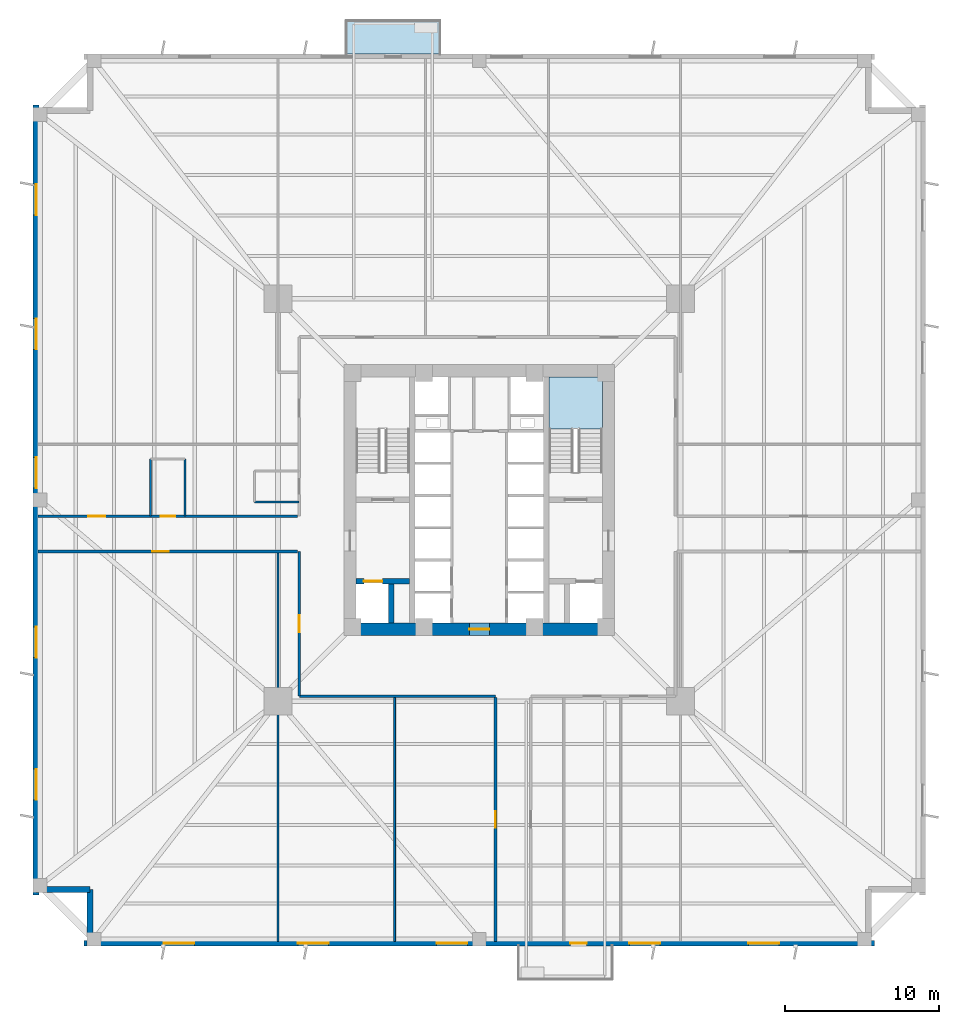
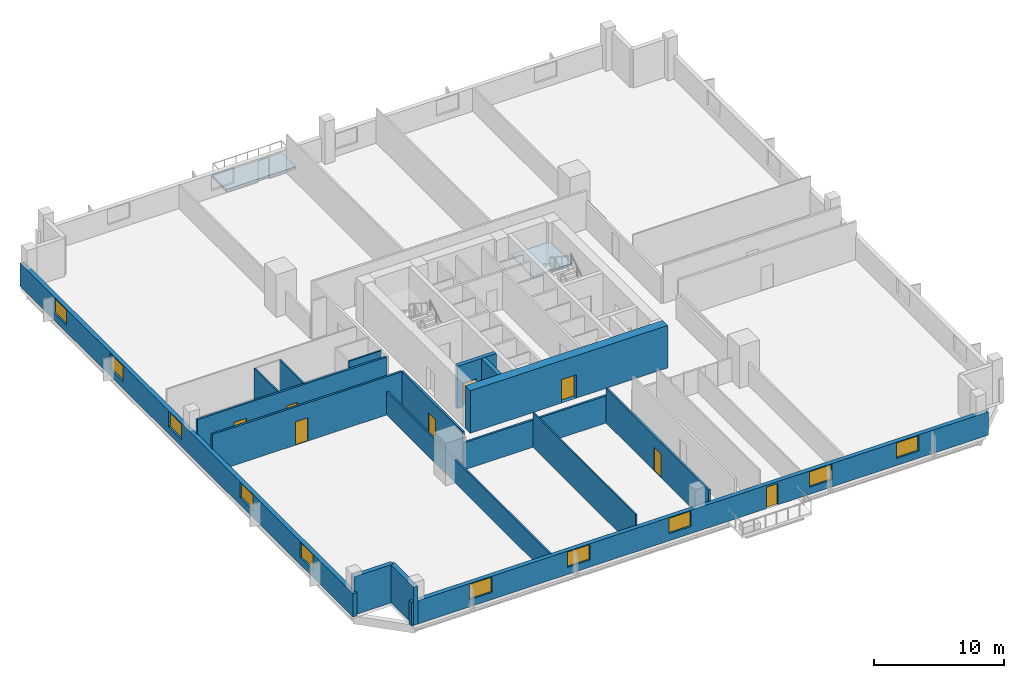
# One storey, part 2 of 8: 17 walls, 10 windows, 8 doors, 2 slabs, 18 openings, 1 element without a shape of its own.
"""IFC4 building model written with IfcOpenShell, lengths in metres."""

from ifc_helpers import new_model, si_unit, direction, frame, frame_2d, origin, place, context, subcontext, project, spatial, polyline, rectangle, outline, extrude, source, transform, mapped, material, layer, layer_set, type_object, element, fill, aggregate, save


model = new_model("IFC4")

# Units and contexts
model_context = context("Model", 3, precision=1e-05, world=origin(), true_north=direction((0.0, 1.0)))
body_context = subcontext(model_context, "Body", "Model", "MODEL_VIEW")
ifc_project = project(units=[si_unit("LENGTHUNIT", "METRE"), si_unit("AREAUNIT", "SQUARE_METRE"), si_unit("VOLUMEUNIT", "CUBIC_METRE"), si_unit("PLANEANGLEUNIT", "RADIAN"), si_unit("MASSUNIT", "GRAM", prefix="KILO"), si_unit("THERMODYNAMICTEMPERATUREUNIT", "KELVIN")], contexts=[model_context])

# Site, building, storey
site_placement = place(None, origin())
site = spatial("IfcSite", under=ifc_project, at=site_placement, CompositionType="ELEMENT")
building_placement = place(site_placement, origin())
building = spatial("IfcBuilding", under=site, at=building_placement, Name="Kosmvard Interchange Tower", CompositionType="ELEMENT")
storey_placement = place(building_placement, frame((0.0, 0.0, 74.0)))
storey = spatial("IfcBuildingStorey", under=building, at=storey_placement, Name="L17", CompositionType="ELEMENT", Elevation=74.0)

# Stair, slab
ifc_material_1 = material(Name="Concrete C50/60", Category="concrete")
stair_type = type_object("IfcStairType", Name="Dog-Leg Core Exit Stair H4000 C50/60", PredefinedType="HALF_TURN_STAIR", material=ifc_material_1)
stair_placement = place(storey_placement, origin())
stair = element("IfcStair", 1, at=stair_placement, inside=storey, type_object=stair_type, Name="L17 Protected Exit Stair ST-2", PredefinedType="HALF_TURN_STAIR")
ifc_layer_1 = layer(ifc_material_1, 0.199951171875, Name="Concrete C50/60")
ifc_layer_set_1 = layer_set([ifc_layer_1], Name="Concrete C50/60")
slab_type_1 = type_object("IfcSlabType", Name="Stair Half-Landing Slab 200 C50/60", PredefinedType="LANDING", material=ifc_layer_set_1)
slab_1_placement = place(storey_placement, frame((0.0, 0.0, 1.800048828125)))
slab_1 = element("IfcSlab", 2, at=slab_1_placement, type_object=slab_type_1, Name="ST-2 landing 1", PredefinedType="LANDING", context=body_context, shape_type="SweptSolid", body=[
    extrude(outline(polyline([(8.0, 4.60009765625), (8.0, 8.0), (4.5400390625, 8.0), (4.5400390625, 4.60009765625), (8.0, 4.60009765625)])), origin(), (0.0, 0.0, 1.0), 0.199951171875),
])
aggregate(stair, [slab_1])

# Slab
ifc_layer_2 = layer(ifc_material_1, 0.22998046875, Name="Concrete C50/60")
ifc_layer_set_2 = layer_set([ifc_layer_2], Name="Concrete C50/60")
slab_type_2 = type_object("IfcSlabType", Name="Tree-Planter Cantilever Balcony Slab 230 C50/60", PredefinedType="FLOOR", material=ifc_layer_set_2)
slab_2_placement = place(storey_placement, frame((0.0, 0.0, -0.22998046875)))
element("IfcSlab", 3, at=slab_2_placement, inside=storey, type_object=slab_type_2, Name="L17 Outdoor Terrace Balcony Slab BAL-L17-NE", PredefinedType="FLOOR", context=body_context, shape_type="SweptSolid", body=[
    extrude(outline(polyline([(-8.699951171875, 29.0), (-2.5, 29.0), (-2.5, 31.199951171875), (-8.699951171875, 31.199951171875), (-8.699951171875, 29.0)])), origin(), (0.0, 0.0, 1.0), 0.22998046875),
])

# Walls
ifc_material_2 = material(Name="Acoustic gypsum partition system")
ifc_layer_3 = layer(ifc_material_2, 0.14990234375, Name="Acoustic gypsum partition system")
ifc_layer_set_3 = layer_set([ifc_layer_3], Name="Acoustic gypsum partition system")
wall_type_1 = type_object("IfcWallType", Name="Acoustic Suite & Meeting Partition 150", PredefinedType="PARTITIONING", material=ifc_layer_set_3)
wall_1_placement = place(storey_placement, frame((-13.0810546875, -28.68505859375, 0.0), z_axis=(0.0, 0.0, 1.0), x_axis=(0.0, 1.0, 0.0)))
element("IfcWall", 4, at=wall_1_placement, inside=storey, type_object=wall_type_1, Name="L17 Room Partition 12.1", PredefinedType="PARTITIONING", context=body_context, shape_type="SweptSolid", body=[
    extrude(rectangle(XDim=25.239990234375, YDim=0.14990234375, at=frame_2d((12.6201171875, 0.0))), origin(), (0.0, 0.0, 1.0), 2.199951171875),
])
ifc_material_3 = material(Name="Fire-rated gypsum partition system")
ifc_layer_4 = layer(ifc_material_3, 0.179931640625, Name="Fire-rated gypsum partition system")
ifc_layer_set_4 = layer_set([ifc_layer_4], Name="Fire-rated gypsum partition system")
wall_type_2 = type_object("IfcWallType", Name="Corridor & Hotel Compartment Partition 180", PredefinedType="PARTITIONING", material=ifc_layer_set_4)
wall_2_placement = place(storey_placement, frame((-11.699951171875, -12.75, 0.0), z_axis=(0.0, 0.0, 1.0), x_axis=(1.0, 0.0, 0.0)))
element("IfcWall", 5, at=wall_2_placement, inside=storey, type_object=wall_type_2, Name="L17 Corridor Wall CSW", PredefinedType="PARTITIONING", context=body_context, shape_type="SweptSolid", body=[
    extrude(rectangle(XDim=12.75, YDim=0.179931640625, at=frame_2d((6.375, 0.0))), origin(), (0.0, 0.0, 1.0), 2.56005859375),
])

# Wall, opening, door
wall_3_placement = place(storey_placement, frame((-11.699951171875, -12.75, 0.0), z_axis=(0.0, 0.0, 1.0), x_axis=(0.0, 1.0, 0.0)))
wall_3 = element("IfcWall", 6, at=wall_3_placement, inside=storey, type_object=wall_type_2, Name="L17 Corridor Wall CWS", PredefinedType="PARTITIONING", context=body_context, shape_type="SweptSolid", body=[
    extrude(rectangle(XDim=9.39990234375, YDim=0.179931640625, at=frame_2d((4.699951171875, 0.0))), origin(), (0.0, 0.0, 1.0), 3.60009765625),
])
opening_1_placement = place(wall_3_placement, frame((4.14990234375, 0.0, 0.0)))
opening_1 = element("IfcOpeningElement", 7, at=opening_1_placement, cuts=wall_3, Name="Opening L17-D15", PredefinedType="OPENING", context=body_context, shape_type="SweptSolid", body=[
    extrude(rectangle(XDim=1.10009765625, YDim=2.199951171875, at=frame_2d((0.550048828125, 1.10009765625))), frame((0.0, 0.10009765625, 0.0), z_axis=(0.0, -1.0, 0.0), x_axis=(1.0, 0.0, 0.0)), (0.0, 0.0, 1.0), 0.199951171875),
])
ifc_material_4 = material(Name="Engineered oak fire-rated timber", Category="wood")
door_type_1 = type_object("IfcDoorType", Name="Office Suite Entrance Door 1100x2200 FD30S", OperationType="NOTDEFINED", PredefinedType="DOOR", material=ifc_material_4)
shared_shape_1 = source(origin(), body_context, "Body", "SweptSolid", [
    extrude(rectangle(XDim=1.10009765625, YDim=2.199951171875, at=frame_2d((0.550048828125, 1.10009765625))), frame((0.0, 0.02490234375, 0.0), z_axis=(0.0, -1.0, 0.0), x_axis=(1.0, 0.0, 0.0)), (0.0, 0.0, 1.0), 0.050048828125),
])
door_1_placement = place(opening_1_placement, origin())
door_1 = element("IfcDoor", 8, at=door_1_placement, inside=storey, type_object=door_type_1, Name="L17 Catering Prep Pantry Door", OperationType="SINGLE_SWING_LEFT", OverallHeight=2.199951171875, OverallWidth=1.10009765625, PredefinedType="DOOR", context=body_context, shape_type="MappedRepresentation", body=[
    mapped(shared_shape_1, transform((0.0, 0.0, 0.0), scale=1.0)),
])
fill(opening_1, door_1)

wall_4_placement = place(storey_placement, frame((-28.68505859375, -3.35009765625, 0.0), z_axis=(0.0, 0.0, 1.0), x_axis=(1.0, 0.0, 0.0)))
wall_4 = element("IfcWall", 9, at=wall_4_placement, inside=storey, type_object=wall_type_2, Name="L17 Corridor Wall SWS", PredefinedType="PARTITIONING", context=body_context, shape_type="SweptSolid", body=[
    extrude(rectangle(XDim=16.885009765625, YDim=0.179931640625, at=frame_2d((8.4423828125, 0.0))), origin(), (0.0, 0.0, 1.0), 3.60009765625),
])
opening_2_placement = place(wall_4_placement, frame((7.41650390625, 0.0, 0.0)))
opening_2 = element("IfcOpeningElement", 10, at=opening_2_placement, cuts=wall_4, Name="Opening L17-D14", PredefinedType="OPENING", context=body_context, shape_type="SweptSolid", body=[
    extrude(rectangle(XDim=1.10009765625, YDim=2.199951171875, at=frame_2d((0.550048828125, 1.10009765625))), frame((0.0, 0.10009765625, 0.0), z_axis=(0.0, -1.0, 0.0), x_axis=(1.0, 0.0, 0.0)), (0.0, 0.0, 1.0), 0.199951171875),
])
door_2_placement = place(opening_2_placement, frame((1.10009765625, 0.0, 0.0), z_axis=(0.0, 0.0, 1.0), x_axis=(-1.0, 0.0, 0.0)))
door_2 = element("IfcDoor", 11, at=door_2_placement, inside=storey, type_object=door_type_1, Name="L17 West Open Operations Studio Door", OperationType="SINGLE_SWING_RIGHT", OverallHeight=2.199951171875, OverallWidth=1.10009765625, PredefinedType="DOOR", context=body_context, shape_type="MappedRepresentation", body=[
    mapped(shared_shape_1, transform((0.0, 0.0, 0.0), scale=1.0)),
])
fill(opening_2, door_2)

# Wall, openings, doors
wall_5_placement = place(storey_placement, frame((-28.68505859375, -1.050048828125, 0.0), z_axis=(0.0, 0.0, 1.0), x_axis=(1.0, 0.0, 0.0)))
wall_5 = element("IfcWall", 12, at=wall_5_placement, inside=storey, type_object=wall_type_2, Name="L17 Corridor Wall SWN", PredefinedType="PARTITIONING", context=body_context, shape_type="SweptSolid", body=[
    extrude(rectangle(XDim=16.885009765625, YDim=0.179931640625, at=frame_2d((8.4423828125, 0.0))), origin(), (0.0, 0.0, 1.0), 3.60009765625),
])
opening_3_placement = place(wall_5_placement, frame((7.967529296875, 0.0, 0.0)))
opening_3 = element("IfcOpeningElement", 13, at=opening_3_placement, cuts=wall_5, Name="Opening L17-D02", PredefinedType="OPENING", context=body_context, shape_type="SweptSolid", body=[
    extrude(rectangle(XDim=0.949951171875, YDim=2.10009765625, at=frame_2d((0.47509765625, 1.050048828125))), frame((0.0, 0.10009765625, 0.0), z_axis=(0.0, -1.0, 0.0), x_axis=(1.0, 0.0, 0.0)), (0.0, 0.0, 1.0), 0.199951171875),
])
opening_4_placement = place(wall_5_placement, frame((3.279296875, 0.0, 0.0)))
opening_4 = element("IfcOpeningElement", 14, at=opening_4_placement, cuts=wall_5, Name="Opening L17-D03", PredefinedType="OPENING", context=body_context, shape_type="SweptSolid", body=[
    extrude(rectangle(XDim=1.10009765625, YDim=2.199951171875, at=frame_2d((0.550048828125, 1.10009765625))), frame((0.0, 0.10009765625, 0.0), z_axis=(0.0, -1.0, 0.0), x_axis=(1.0, 0.0, 0.0)), (0.0, 0.0, 1.0), 0.199951171875),
])
ifc_material_5 = material(Name="Laminated moisture-resistant timber", Category="wood")
door_type_2 = type_object("IfcDoorType", Name="Accessible Washroom Door 950x2100", OperationType="NOTDEFINED", PredefinedType="DOOR", material=ifc_material_5)
shared_shape_2 = source(origin(), body_context, "Body", "SweptSolid", [
    extrude(rectangle(XDim=0.949951171875, YDim=2.10009765625, at=frame_2d((0.47509765625, 1.050048828125))), frame((0.0, 0.02490234375, 0.0), z_axis=(0.0, -1.0, 0.0), x_axis=(1.0, 0.0, 0.0)), (0.0, 0.0, 1.0), 0.050048828125),
])
door_3_placement = place(opening_3_placement, origin())
door_3 = element("IfcDoor", 15, at=door_3_placement, inside=storey, type_object=door_type_2, Name="L17 Public Floor Washroom Door", OperationType="SINGLE_SWING_RIGHT", OverallHeight=2.10009765625, OverallWidth=0.949951171875, PredefinedType="DOOR", context=body_context, shape_type="MappedRepresentation", body=[
    mapped(shared_shape_2, transform((0.0, 0.0, 0.0), scale=1.0)),
])
fill(opening_3, door_3)
door_4_placement = place(opening_4_placement, origin())
door_4 = element("IfcDoor", 16, at=door_4_placement, inside=storey, type_object=door_type_1, Name="L17 Occupational Wellness Clinic 1 Door", OperationType="SINGLE_SWING_LEFT", OverallHeight=2.199951171875, OverallWidth=1.10009765625, PredefinedType="DOOR", context=body_context, shape_type="MappedRepresentation", body=[
    mapped(shared_shape_1, transform((0.0, 0.0, 0.0), scale=1.0)),
])
fill(opening_4, door_4)

# Wall, opening, door
wall_6_placement = place(storey_placement, frame((1.050048828125, -28.68505859375, 0.0), z_axis=(0.0, 0.0, 1.0), x_axis=(0.0, 1.0, 0.0)))
wall_6 = element("IfcWall", 17, at=wall_6_placement, inside=storey, type_object=wall_type_2, Name="L17 Corridor Wall SSW", PredefinedType="PARTITIONING", context=body_context, shape_type="SweptSolid", body=[
    extrude(rectangle(XDim=15.8349609375, YDim=0.179931640625, at=frame_2d((7.91748046875, 0.0))), origin(), (0.0, 0.0, 1.0), 3.27001953125),
])
opening_5_placement = place(wall_6_placement, frame((7.367431640625, 0.0, 0.0)))
opening_5 = element("IfcOpeningElement", 18, at=opening_5_placement, cuts=wall_6, Name="Opening L17-D16", PredefinedType="OPENING", context=body_context, shape_type="SweptSolid", body=[
    extrude(rectangle(XDim=1.10009765625, YDim=2.199951171875, at=frame_2d((0.550048828125, 1.10009765625))), frame((0.0, 0.10009765625, 0.0), z_axis=(0.0, -1.0, 0.0), x_axis=(1.0, 0.0, 0.0)), (0.0, 0.0, 1.0), 0.199951171875),
])
door_5_placement = place(opening_5_placement, origin())
door_5 = element("IfcDoor", 19, at=door_5_placement, inside=storey, type_object=door_type_1, Name="L17 Janitorial Store 4 Door", OperationType="SINGLE_SWING_RIGHT", OverallHeight=2.199951171875, OverallWidth=1.10009765625, PredefinedType="DOOR", context=body_context, shape_type="MappedRepresentation", body=[
    mapped(shared_shape_1, transform((0.0, 0.0, 0.0), scale=1.0)),
])
fill(opening_5, door_5)

ifc_material_6 = material(Name="Concrete C80/95", Category="concrete")
ifc_layer_5 = layer(ifc_material_6, 0.800048828125, Name="Concrete C80/95")
ifc_layer_set_5 = layer_set([ifc_layer_5], Name="Concrete C80/95")
wall_type_3 = type_object("IfcWallType", Name="Lower Core Shear Wall 800 C80/95", PredefinedType="SHEAR", material=ifc_layer_set_5)
wall_7_placement = place(storey_placement, frame((-8.800048828125, -8.39990234375, 0.0), z_axis=(0.0, 0.0, 1.0), x_axis=(1.0, 0.0, 0.0)))
wall_7 = element("IfcWall", 20, at=wall_7_placement, inside=storey, type_object=wall_type_3, Name="L17 Core Shear Wall CW-S", PredefinedType="SHEAR", context=body_context, shape_type="SweptSolid", body=[
    extrude(rectangle(XDim=17.60009765625, YDim=0.800048828125, at=frame_2d((8.800048828125, 0.0))), origin(), (0.0, 0.0, 1.0), 4.0),
])
opening_6_placement = place(wall_7_placement, frame((8.14990234375, 0.0, 0.0)))
opening_6 = element("IfcOpeningElement", 21, at=opening_6_placement, cuts=wall_7, Name="Opening L17-LD0", PredefinedType="OPENING", context=body_context, shape_type="SweptSolid", body=[
    extrude(rectangle(XDim=1.300048828125, YDim=2.199951171875, at=frame_2d((0.64990234375, 1.10009765625))), frame((0.0, 0.41015625, 0.0), z_axis=(0.0, -1.0, 0.0), x_axis=(1.0, 0.0, 0.0)), (0.0, 0.0, 1.0), 0.820068359375),
])
ifc_material_7 = material(Name="Painted fire-rated steel leaf", Category="steel")
door_type_3 = type_object("IfcDoorType", Name="Firefighting Lobby Door 1300x2200 EI60", OperationType="NOTDEFINED", PredefinedType="DOOR", material=ifc_material_7)
shared_shape_3 = source(origin(), body_context, "Body", "SweptSolid", [
    extrude(rectangle(XDim=1.300048828125, YDim=2.199951171875, at=frame_2d((0.64990234375, 1.10009765625))), frame((0.0, 0.02490234375, 0.0), z_axis=(0.0, -1.0, 0.0), x_axis=(1.0, 0.0, 0.0)), (0.0, 0.0, 1.0), 0.050048828125),
])
door_6_placement = place(opening_6_placement, frame((1.300048828125, 0.0, 0.0), z_axis=(0.0, 0.0, 1.0), x_axis=(-1.0, 0.0, 0.0)))
door_6 = element("IfcDoor", 22, at=door_6_placement, inside=storey, type_object=door_type_3, Name="L17 Passenger Lift Lobby South Door", OperationType="SINGLE_SWING_LEFT", OverallHeight=2.199951171875, OverallWidth=1.300048828125, PredefinedType="DOOR", context=body_context, shape_type="MappedRepresentation", body=[
    mapped(shared_shape_3, transform((0.0, 0.0, 0.0), scale=1.0)),
])
fill(opening_6, door_6)

# Wall, openings, windows, door
ifc_material_8 = material(Name="Precast concrete C45/55", Category="concrete")
ifc_layer_6 = layer(ifc_material_8, 0.3798828125, Name="Precast concrete C45/55")
ifc_layer_set_6 = layer_set([ifc_layer_6], Name="Precast concrete C45/55")
wall_type_4 = type_object("IfcWallType", Name="Lower Tower Precast Pier Wall 380 C45/55", PredefinedType="STANDARD", material=ifc_layer_set_6)
wall_8_placement = place(storey_placement, frame((-25.68994140625, -28.81005859375, 0.0), z_axis=(0.0, 0.0, 1.0), x_axis=(1.0, 0.0, 0.0)))
wall_8 = element("IfcWall", 23, at=wall_8_placement, inside=storey, type_object=wall_type_4, Name="L17 Precast Facade Wall F-S", PredefinedType="STANDARD", context=body_context, shape_type="SweptSolid", body=[
    extrude(rectangle(XDim=51.3798828125, YDim=0.3798828125, at=frame_2d((25.68994140625, 0.0))), origin(), (0.0, 0.0, 1.0), 2.199951171875),
])
opening_7_placement = place(wall_8_placement, frame((31.614990234375, 0.0, 0.0)))
opening_7 = element("IfcOpeningElement", 24, at=opening_7_placement, cuts=wall_8, Name="Opening L17-BDW", PredefinedType="OPENING", context=body_context, shape_type="SweptSolid", body=[
    extrude(rectangle(XDim=1.050048828125, YDim=2.02001953125, at=frame_2d((0.52490234375, 1.010009765625))), frame((0.0, 0.199951171875, 0.0), z_axis=(0.0, -1.0, 0.0), x_axis=(1.0, 0.0, 0.0)), (0.0, 0.0, 1.0), 0.39990234375),
])
opening_8_placement = place(wall_8_placement, frame((5.16552734375, 0.0, 0.669921875)))
opening_8 = element("IfcOpeningElement", 25, at=opening_8_placement, cuts=wall_8, Name="Opening L17-W01", PredefinedType="OPENING", context=body_context, shape_type="SweptSolid", body=[
    extrude(rectangle(XDim=2.0, YDim=1.449951171875, at=frame_2d((1.0, 0.72509765625))), frame((0.0, 0.199951171875, 0.0), z_axis=(0.0, -1.0, 0.0), x_axis=(1.0, 0.0, 0.0)), (0.0, 0.0, 1.0), 0.39990234375),
])
opening_9_placement = place(wall_8_placement, frame((13.900146484375, 0.0, 0.669921875)))
opening_9 = element("IfcOpeningElement", 26, at=opening_9_placement, cuts=wall_8, Name="Opening L17-W02", PredefinedType="OPENING", context=body_context, shape_type="SweptSolid", body=[
    extrude(rectangle(XDim=2.0, YDim=1.449951171875, at=frame_2d((1.0, 0.72509765625))), frame((0.0, 0.199951171875, 0.0), z_axis=(0.0, -1.0, 0.0), x_axis=(1.0, 0.0, 0.0)), (0.0, 0.0, 1.0), 0.39990234375),
])
opening_10_placement = place(wall_8_placement, frame((22.912353515625, 0.0, 0.669921875)))
opening_10 = element("IfcOpeningElement", 27, at=opening_10_placement, cuts=wall_8, Name="Opening L17-W03", PredefinedType="OPENING", context=body_context, shape_type="SweptSolid", body=[
    extrude(rectangle(XDim=2.0, YDim=1.449951171875, at=frame_2d((1.0, 0.72509765625))), frame((0.0, 0.199951171875, 0.0), z_axis=(0.0, -1.0, 0.0), x_axis=(1.0, 0.0, 0.0)), (0.0, 0.0, 1.0), 0.39990234375),
])
opening_11_placement = place(wall_8_placement, frame((35.4384765625, 0.0, 0.669921875)))
opening_11 = element("IfcOpeningElement", 28, at=opening_11_placement, cuts=wall_8, Name="Opening L17-W04", PredefinedType="OPENING", context=body_context, shape_type="SweptSolid", body=[
    extrude(rectangle(XDim=2.0, YDim=1.449951171875, at=frame_2d((1.0, 0.72509765625))), frame((0.0, 0.199951171875, 0.0), z_axis=(0.0, -1.0, 0.0), x_axis=(1.0, 0.0, 0.0)), (0.0, 0.0, 1.0), 0.39990234375),
])
opening_12_placement = place(wall_8_placement, frame((43.186767578125, 0.0, 0.669921875)))
opening_12 = element("IfcOpeningElement", 29, at=opening_12_placement, cuts=wall_8, Name="Opening L17-W05", PredefinedType="OPENING", context=body_context, shape_type="SweptSolid", body=[
    extrude(rectangle(XDim=2.0, YDim=1.449951171875, at=frame_2d((1.0, 0.72509765625))), frame((0.0, 0.199951171875, 0.0), z_axis=(0.0, -1.0, 0.0), x_axis=(1.0, 0.0, 0.0)), (0.0, 0.0, 1.0), 0.39990234375),
])
ifc_material_9 = material(Name="Low-E solar-control double glazing", Category="glass")
window_type = type_object("IfcWindowType", Name="Transfer Zone Punched Window 2000x1450", PartitioningType="SINGLE_PANEL", PredefinedType="WINDOW", material=ifc_material_9)
shared_shape_4 = source(origin(), body_context, "Body", "SweptSolid", [
    extrude(rectangle(XDim=2.0, YDim=1.449951171875, at=frame_2d((1.0, 0.72509765625))), frame((0.0, 0.030029296875, 0.0), z_axis=(0.0, -1.0, 0.0), x_axis=(1.0, 0.0, 0.0)), (0.0, 0.0, 1.0), 0.06005859375),
])
window_1_placement = place(opening_8_placement, origin())
window_1 = element("IfcWindow", 30, at=window_1_placement, inside=storey, type_object=window_type, Name="L17 Facade Punched Window 01", OverallHeight=1.449951171875, OverallWidth=2.0, PartitioningType="SINGLE_PANEL", PredefinedType="WINDOW", context=body_context, shape_type="MappedRepresentation", body=[
    mapped(shared_shape_4, transform((0.0, 0.0, 0.0), scale=1.0)),
])
fill(opening_8, window_1)
window_2_placement = place(opening_9_placement, origin())
window_2 = element("IfcWindow", 31, at=window_2_placement, inside=storey, type_object=window_type, Name="L17 Facade Punched Window 02", OverallHeight=1.449951171875, OverallWidth=2.0, PartitioningType="SINGLE_PANEL", PredefinedType="WINDOW", context=body_context, shape_type="MappedRepresentation", body=[
    mapped(shared_shape_4, transform((0.0, 0.0, 0.0), scale=1.0)),
])
fill(opening_9, window_2)
window_3_placement = place(opening_10_placement, origin())
window_3 = element("IfcWindow", 32, at=window_3_placement, inside=storey, type_object=window_type, Name="L17 Facade Punched Window 03", OverallHeight=1.449951171875, OverallWidth=2.0, PartitioningType="SINGLE_PANEL", PredefinedType="WINDOW", context=body_context, shape_type="MappedRepresentation", body=[
    mapped(shared_shape_4, transform((0.0, 0.0, 0.0), scale=1.0)),
])
fill(opening_10, window_3)
window_4_placement = place(opening_11_placement, origin())
window_4 = element("IfcWindow", 33, at=window_4_placement, inside=storey, type_object=window_type, Name="L17 Facade Punched Window 04", OverallHeight=1.449951171875, OverallWidth=2.0, PartitioningType="SINGLE_PANEL", PredefinedType="WINDOW", context=body_context, shape_type="MappedRepresentation", body=[
    mapped(shared_shape_4, transform((0.0, 0.0, 0.0), scale=1.0)),
])
fill(opening_11, window_4)
window_5_placement = place(opening_12_placement, origin())
window_5 = element("IfcWindow", 34, at=window_5_placement, inside=storey, type_object=window_type, Name="L17 Facade Punched Window 05", OverallHeight=1.449951171875, OverallWidth=2.0, PartitioningType="SINGLE_PANEL", PredefinedType="WINDOW", context=body_context, shape_type="MappedRepresentation", body=[
    mapped(shared_shape_4, transform((0.0, 0.0, 0.0), scale=1.0)),
])
fill(opening_12, window_5)
ifc_material_10 = material(Name="Anodised aluminium and safety glass", Category="aluminium")
door_type_4 = type_object("IfcDoorType", Name="Tree-Balcony Glazed Door 1050x2250", OperationType="NOTDEFINED", PredefinedType="DOOR", material=ifc_material_10)
shared_shape_5 = source(origin(), body_context, "Body", "SweptSolid", [
    extrude(rectangle(XDim=1.050048828125, YDim=2.02001953125, at=frame_2d((0.52490234375, 1.010009765625))), frame((0.0, 0.02490234375, 0.0), z_axis=(0.0, -1.0, 0.0), x_axis=(1.0, 0.0, 0.0)), (0.0, 0.0, 1.0), 0.050048828125),
])
door_7_placement = place(opening_7_placement, origin())
door_7 = element("IfcDoor", 35, at=door_7_placement, inside=storey, type_object=door_type_4, Name="L17 Tree-Balcony Door BAL-L17-SW", OperationType="SINGLE_SWING_RIGHT", OverallHeight=2.02001953125, OverallWidth=1.050048828125, PredefinedType="DOOR", context=body_context, shape_type="MappedRepresentation", body=[
    mapped(shared_shape_5, transform((0.0, 0.0, 0.0), scale=1.0)),
])
fill(opening_7, door_7)

# Wall, openings, windows
wall_9_placement = place(storey_placement, frame((-28.81005859375, 25.68994140625, 0.0), z_axis=(0.0, 0.0, 1.0), x_axis=(0.0, -1.0, 0.0)))
wall_9 = element("IfcWall", 36, at=wall_9_placement, inside=storey, type_object=wall_type_4, Name="L17 Precast Facade Wall F-W", PredefinedType="STANDARD", context=body_context, shape_type="SweptSolid", body=[
    extrude(rectangle(XDim=51.3798828125, YDim=0.3798828125, at=frame_2d((25.68994140625, 0.0))), origin(), (0.0, 0.0, 1.0), 2.199951171875),
])
opening_13_placement = place(wall_9_placement, frame((5.16552734375, 0.0, 0.669921875)))
opening_13 = element("IfcOpeningElement", 37, at=opening_13_placement, cuts=wall_9, Name="Opening L17-W15", PredefinedType="OPENING", context=body_context, shape_type="SweptSolid", body=[
    extrude(rectangle(XDim=2.0, YDim=1.449951171875, at=frame_2d((1.0, 0.72509765625))), frame((0.0, 0.199951171875, 0.0), z_axis=(0.0, -1.0, 0.0), x_axis=(1.0, 0.0, 0.0)), (0.0, 0.0, 1.0), 0.39990234375),
])
opening_14_placement = place(wall_9_placement, frame((13.900146484375, 0.0, 0.669921875)))
opening_14 = element("IfcOpeningElement", 38, at=opening_14_placement, cuts=wall_9, Name="Opening L17-W16", PredefinedType="OPENING", context=body_context, shape_type="SweptSolid", body=[
    extrude(rectangle(XDim=2.0, YDim=1.449951171875, at=frame_2d((1.0, 0.72509765625))), frame((0.0, 0.199951171875, 0.0), z_axis=(0.0, -1.0, 0.0), x_axis=(1.0, 0.0, 0.0)), (0.0, 0.0, 1.0), 0.39990234375),
])
opening_15_placement = place(wall_9_placement, frame((22.912353515625, 0.0, 0.669921875)))
opening_15 = element("IfcOpeningElement", 39, at=opening_15_placement, cuts=wall_9, Name="Opening L17-W17", PredefinedType="OPENING", context=body_context, shape_type="SweptSolid", body=[
    extrude(rectangle(XDim=2.0, YDim=1.449951171875, at=frame_2d((1.0, 0.72509765625))), frame((0.0, 0.199951171875, 0.0), z_axis=(0.0, -1.0, 0.0), x_axis=(1.0, 0.0, 0.0)), (0.0, 0.0, 1.0), 0.39990234375),
])
opening_16_placement = place(wall_9_placement, frame((33.9384765625, 0.0, 0.669921875)))
opening_16 = element("IfcOpeningElement", 40, at=opening_16_placement, cuts=wall_9, Name="Opening L17-W18", PredefinedType="OPENING", context=body_context, shape_type="SweptSolid", body=[
    extrude(rectangle(XDim=2.0, YDim=1.449951171875, at=frame_2d((1.0, 0.72509765625))), frame((0.0, 0.199951171875, 0.0), z_axis=(0.0, -1.0, 0.0), x_axis=(1.0, 0.0, 0.0)), (0.0, 0.0, 1.0), 0.39990234375),
])
opening_17_placement = place(wall_9_placement, frame((43.186767578125, 0.0, 0.669921875)))
opening_17 = element("IfcOpeningElement", 41, at=opening_17_placement, cuts=wall_9, Name="Opening L17-W19", PredefinedType="OPENING", context=body_context, shape_type="SweptSolid", body=[
    extrude(rectangle(XDim=2.0, YDim=1.449951171875, at=frame_2d((1.0, 0.72509765625))), frame((0.0, 0.199951171875, 0.0), z_axis=(0.0, -1.0, 0.0), x_axis=(1.0, 0.0, 0.0)), (0.0, 0.0, 1.0), 0.39990234375),
])
window_6_placement = place(opening_13_placement, origin())
window_6 = element("IfcWindow", 42, at=window_6_placement, inside=storey, type_object=window_type, Name="L17 Facade Punched Window 15", OverallHeight=1.449951171875, OverallWidth=2.0, PartitioningType="SINGLE_PANEL", PredefinedType="WINDOW", context=body_context, shape_type="MappedRepresentation", body=[
    mapped(shared_shape_4, transform((0.0, 0.0, 0.0), scale=1.0)),
])
fill(opening_13, window_6)
window_7_placement = place(opening_14_placement, origin())
window_7 = element("IfcWindow", 43, at=window_7_placement, inside=storey, type_object=window_type, Name="L17 Facade Punched Window 16", OverallHeight=1.449951171875, OverallWidth=2.0, PartitioningType="SINGLE_PANEL", PredefinedType="WINDOW", context=body_context, shape_type="MappedRepresentation", body=[
    mapped(shared_shape_4, transform((0.0, 0.0, 0.0), scale=1.0)),
])
fill(opening_14, window_7)
window_8_placement = place(opening_15_placement, origin())
window_8 = element("IfcWindow", 44, at=window_8_placement, inside=storey, type_object=window_type, Name="L17 Facade Punched Window 17", OverallHeight=1.449951171875, OverallWidth=2.0, PartitioningType="SINGLE_PANEL", PredefinedType="WINDOW", context=body_context, shape_type="MappedRepresentation", body=[
    mapped(shared_shape_4, transform((0.0, 0.0, 0.0), scale=1.0)),
])
fill(opening_15, window_8)
window_9_placement = place(opening_16_placement, origin())
window_9 = element("IfcWindow", 45, at=window_9_placement, inside=storey, type_object=window_type, Name="L17 Facade Punched Window 18", OverallHeight=1.449951171875, OverallWidth=2.0, PartitioningType="SINGLE_PANEL", PredefinedType="WINDOW", context=body_context, shape_type="MappedRepresentation", body=[
    mapped(shared_shape_4, transform((0.0, 0.0, 0.0), scale=1.0)),
])
fill(opening_16, window_9)
window_10_placement = place(opening_17_placement, origin())
window_10 = element("IfcWindow", 46, at=window_10_placement, inside=storey, type_object=window_type, Name="L17 Facade Punched Window 19", OverallHeight=1.449951171875, OverallWidth=2.0, PartitioningType="SINGLE_PANEL", PredefinedType="WINDOW", context=body_context, shape_type="MappedRepresentation", body=[
    mapped(shared_shape_4, transform((0.0, 0.0, 0.0), scale=1.0)),
])
fill(opening_17, window_10)

# Walls
wall_10_placement = place(storey_placement, frame((-28.81005859375, -25.31005859375, 0.0), z_axis=(0.0, 0.0, 1.0), x_axis=(1.0, 0.0, 0.0)))
element("IfcWall", 47, at=wall_10_placement, inside=storey, type_object=wall_type_4, Name="L17 Precast Facade Wall N-SW1", PredefinedType="STANDARD", context=body_context, shape_type="SweptSolid", body=[
    extrude(rectangle(XDim=3.5, YDim=0.3798828125, at=frame_2d((1.75, 0.0))), origin(), (0.0, 0.0, 1.0), 3.60009765625),
])
wall_11_placement = place(storey_placement, frame((-25.31005859375, -25.31005859375, 0.0), z_axis=(0.0, 0.0, 1.0), x_axis=(0.0, -1.0, 0.0)))
element("IfcWall", 48, at=wall_11_placement, inside=storey, type_object=wall_type_4, Name="L17 Precast Facade Wall N-SW2", PredefinedType="STANDARD", context=body_context, shape_type="SweptSolid", body=[
    extrude(rectangle(XDim=3.68994140625, YDim=0.3798828125, at=frame_2d((1.844970703125, 0.0))), origin(), (0.0, 0.0, 1.0), 3.60009765625),
])
ifc_material_11 = material(Name="Gypsum board partition system")
ifc_layer_7 = layer(ifc_material_11, 0.1201171875, Name="Gypsum board partition system")
ifc_layer_set_7 = layer_set([ifc_layer_7], Name="Gypsum board partition system")
wall_type_5 = type_object("IfcWallType", Name="Office Cellular Partition 120", PredefinedType="PARTITIONING", material=ifc_layer_set_7)
wall_12_placement = place(storey_placement, frame((-5.5, -28.68505859375, 0.0), z_axis=(0.0, 0.0, 1.0), x_axis=(0.0, 1.0, 0.0)))
element("IfcWall", 49, at=wall_12_placement, inside=storey, type_object=wall_type_5, Name="L17 Room Partition 13.1", PredefinedType="PARTITIONING", context=body_context, shape_type="SweptSolid", body=[
    extrude(rectangle(XDim=15.840087890625, YDim=0.1201171875, at=frame_2d((7.919921875, 0.0))), origin(), (0.0, 0.0, 1.0), 3.27001953125),
])

# Wall, opening, door
ifc_material_12 = material(Name="Concrete C60/75", Category="concrete")
ifc_layer_8 = layer(ifc_material_12, 0.360107421875, Name="Concrete C60/75")
ifc_layer_set_8 = layer_set([ifc_layer_8], Name="Concrete C60/75")
wall_type_6 = type_object("IfcWallType", Name="Stair & Lift Shaft Shear Wall 360 C60/75", PredefinedType="SHEAR", material=ifc_layer_set_8)
wall_13_placement = place(storey_placement, frame((-8.0, -5.280029296875, 0.0), z_axis=(0.0, 0.0, 1.0), x_axis=(1.0, 0.0, 0.0)))
wall_13 = element("IfcWall", 50, at=wall_13_placement, inside=storey, type_object=wall_type_6, Name="L17 Shaft Shear Wall SW-FF1", PredefinedType="SHEAR", context=body_context, shape_type="SweptSolid", body=[
    extrude(rectangle(XDim=3.4599609375, YDim=0.360107421875, at=frame_2d((1.72998046875, 0.0))), origin(), (0.0, 0.0, 1.0), 4.0),
])
opening_18_placement = place(wall_13_placement, frame((0.5, 0.0, 0.0)))
opening_18 = element("IfcOpeningElement", 51, at=opening_18_placement, cuts=wall_13, Name="Opening LD-FF-1-L17", PredefinedType="OPENING", context=body_context, shape_type="SweptSolid", body=[
    extrude(rectangle(XDim=1.199951171875, YDim=2.25, at=frame_2d((0.60009765625, 1.125))), frame((0.0, 0.18994140625, 0.0), z_axis=(0.0, -1.0, 0.0), x_axis=(1.0, 0.0, 0.0)), (0.0, 0.0, 1.0), 0.380126953125),
])
ifc_material_13 = material(Name="Brushed stainless steel sliding leaf", Category="steel")
door_type_5 = type_object("IfcDoorType", Name="Firefighting Lift Sliding Landing Door 1200x2250 EI120", OperationType="DOUBLE_DOOR_SLIDING", PredefinedType="DOOR", material=ifc_material_13)
shared_shape_6 = source(origin(), body_context, "Body", "SweptSolid", [
    extrude(rectangle(XDim=1.199951171875, YDim=2.25, at=frame_2d((0.60009765625, 1.125))), frame((0.0, 0.02490234375, 0.0), z_axis=(0.0, -1.0, 0.0), x_axis=(1.0, 0.0, 0.0)), (0.0, 0.0, 1.0), 0.050048828125),
])
door_8_placement = place(opening_18_placement, origin())
door_8 = element("IfcDoor", 52, at=door_8_placement, inside=storey, type_object=door_type_5, Name="Lift FF-1 Landing Door L17", OperationType="DOUBLE_DOOR_SLIDING", OverallHeight=2.25, OverallWidth=1.199951171875, PredefinedType="DOOR", context=body_context, shape_type="MappedRepresentation", body=[
    mapped(shared_shape_6, transform((0.0, 0.0, 0.0), scale=1.0)),
])
fill(opening_18, door_8)

# Walls
wall_14_placement = place(storey_placement, frame((-5.7099609375, -8.0, 0.0), z_axis=(0.0, 0.0, 1.0), x_axis=(0.0, 1.0, 0.0)))
element("IfcWall", 53, at=wall_14_placement, inside=storey, type_object=wall_type_6, Name="L17 Shaft Shear Wall SW-SM1", PredefinedType="SHEAR", context=body_context, shape_type="SweptSolid", body=[
    extrude(rectangle(XDim=2.5400390625, YDim=0.360107421875, at=frame_2d((1.27001953125, 0.0))), origin(), (0.0, 0.0, 1.0), 4.0),
])
ifc_material_14 = material(Name="Moisture-resistant gypsum partition")
ifc_layer_9 = layer(ifc_material_14, 0.135009765625, Name="Moisture-resistant gypsum partition")
ifc_layer_set_9 = layer_set([ifc_layer_9], Name="Moisture-resistant gypsum partition")
wall_type_7 = type_object("IfcWallType", Name="Wet Room Moisture-Resistant Partition 135", PredefinedType="PARTITIONING", material=ifc_layer_set_9)
wall_15_placement = place(storey_placement, frame((-14.6201171875, -0.1201171875, 0.0), z_axis=(0.0, 0.0, 1.0), x_axis=(1.0, 0.0, 0.0)))
element("IfcWall", 54, at=wall_15_placement, inside=storey, type_object=wall_type_7, Name="L17 Washroom Partition AWC1-S", PredefinedType="PARTITIONING", context=body_context, shape_type="SweptSolid", body=[
    extrude(rectangle(XDim=2.900146484375, YDim=0.135009765625, at=frame_2d((1.4501953125, 0.0))), origin(), (0.0, 0.0, 1.0), 3.60009765625),
])
for number, where, z_axis, x_axis, name in (
    (55, (-19.117431640625, -1.030029296875, 0.0), (0.0, 0.0, 1.0), (0.0, 1.0, 0.0), "L17 Washroom Partition WC1-E"),
    (56, (-21.367431640625, -1.030029296875, 0.0), (0.0, 0.0, 1.0), (0.0, 1.0, 0.0), "L17 Washroom Partition WC1-W"),
):
    element("IfcWall", number, at=place(storey_placement, frame(where, z_axis=z_axis, x_axis=x_axis)), inside=storey, type_object=wall_type_7, Name=name, PredefinedType="PARTITIONING", context=body_context, shape_type="SweptSolid", body=[
        extrude(rectangle(XDim=3.699951171875, YDim=0.135009765625, at=frame_2d((1.85009765625, 0.0))), origin(), (0.0, 0.0, 1.0), 3.60009765625),
    ])

save(model, "model.ifc")
